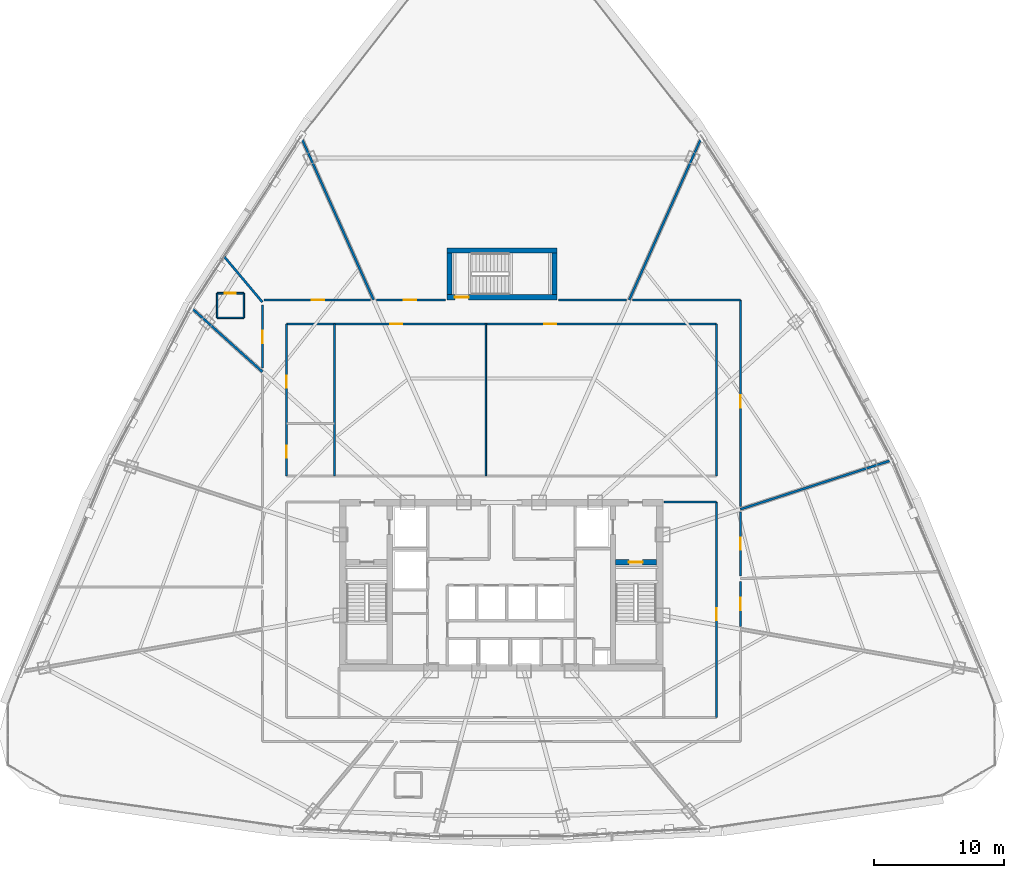
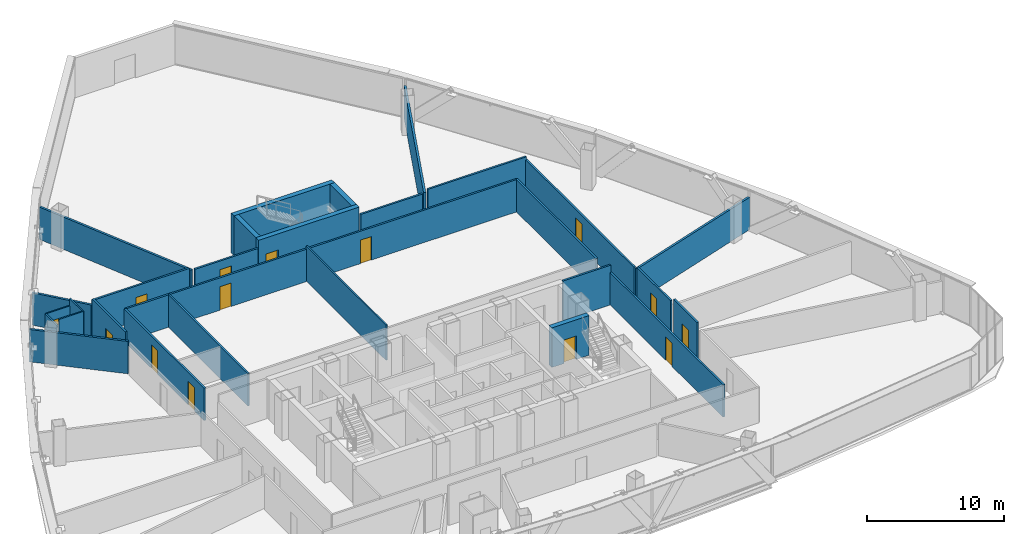
# One storey, part 32 of 37: 29 walls, 14 doors, 14 openings.
"""IFC4 building model written with IfcOpenShell, lengths in metres."""

import ifcopenshell
import ifcopenshell.guid

model = None  # the IFC model being written
_history = None  # IfcOwnerHistory: only IFC2X3 demands one
_inside = {}  # id of a spatial element -> (the spatial element, [elements in it])
_under = {}  # id of a project, library or spatial element -> (it, [spatial elements below it])
_declared = {}  # id of a project -> (the project, [libraries it declares])
_typed = {}  # id of a type object -> (the type object, [elements of that type])
_made_of = {}  # id of a material, layer set ... -> (it, [elements and type objects made of it])


def new_model(schema):
    """Start an empty IFC model of exactly this schema.

    Asked for "IFC4X3", IfcOpenShell would pick the latest addendum, in which some entities
    have other attributes; the version numbers below select the first issue.
    IFC2X3 requires an IfcOwnerHistory on every rooted entity: one is made here for all.
    """
    global model, _history
    if schema == "IFC4X3":
        model = ifcopenshell.file(schema_version=(4, 3, 0, 0))
    else:
        model = ifcopenshell.file(schema=schema)
    _inside.clear()
    _under.clear()
    _declared.clear()
    _typed.clear()
    _made_of.clear()
    _history = None
    if model.schema == "IFC2X3":
        org = make("IfcOrganization", Name="unknown")
        user = make(
            "IfcPersonAndOrganization",
            ThePerson=make("IfcPerson", FamilyName="unknown"),
            TheOrganization=org,
        )
        app = make(
            "IfcApplication",
            ApplicationDeveloper=org,
            Version="unknown",
            ApplicationFullName="unknown",
            ApplicationIdentifier="unknown",
        )
        _history = make(
            "IfcOwnerHistory",
            OwningUser=user,
            OwningApplication=app,
            ChangeAction="ADDED",
            CreationDate=0,
        )
    return model


def make(cls, **values):
    """One entity of the class cls with the attributes given. An attribute that is None is left unset."""
    return model.create_entity(
        cls, **{name: value for name, value in values.items() if value is not None}
    )


def rooted(cls, **values):
    """An entity with a GlobalId (a new one), such as an element, a storey or a relation."""
    return make(cls, GlobalId=ifcopenshell.guid.new(), OwnerHistory=_history, **values)


def si_unit(unit_type, name, prefix=None):
    """IfcSIUnit, for example si_unit("LENGTHUNIT", "METRE", prefix="MILLI")."""
    return make("IfcSIUnit", UnitType=unit_type, Prefix=prefix, Name=name)


def assignment(units):
    """IfcUnitAssignment: the units of a project."""
    return None if units is None else make("IfcUnitAssignment", Units=units)


def point(xyz):
    """IfcCartesianPoint."""
    return None if xyz is None else make("IfcCartesianPoint", Coordinates=xyz)


def direction(xyz):
    """IfcDirection."""
    return None if xyz is None else make("IfcDirection", DirectionRatios=xyz)


def frame(location, z_axis=None, x_axis=None):
    """IfcAxis2Placement3D, a coordinate frame: its origin and axes. An axis left out is left unset."""
    return make(
        "IfcAxis2Placement3D",
        Location=point(location),
        Axis=direction(z_axis),
        RefDirection=direction(x_axis),
    )


def frame_2d(location, x_axis=None):
    """IfcAxis2Placement2D, a coordinate frame in the plane: its origin and x axis."""
    return make(
        "IfcAxis2Placement2D", Location=point(location), RefDirection=direction(x_axis)
    )


def origin():
    """The frame at (0, 0, 0) with its axes left unset."""
    return frame((0.0, 0.0, 0.0))


def origin_with_axes():
    """The frame at (0, 0, 0) with the z axis (0, 0, 1) and the x axis (1, 0, 0) written out."""
    return frame((0.0, 0.0, 0.0), z_axis=(0.0, 0.0, 1.0), x_axis=(1.0, 0.0, 0.0))


def place(relative_to, where):
    """IfcLocalPlacement: puts the frame where relative to a parent placement (None: the world)."""
    return make(
        "IfcLocalPlacement", PlacementRelTo=relative_to, RelativePlacement=where
    )


def context(
    kind, dimensions, precision=None, world=None, true_north=None, identifier=None
):
    """IfcGeometricRepresentationContext, for example the 3D "Model" context."""
    return make(
        "IfcGeometricRepresentationContext",
        ContextIdentifier=identifier,
        ContextType=kind,
        CoordinateSpaceDimension=dimensions,
        Precision=precision,
        WorldCoordinateSystem=world,
        TrueNorth=true_north,
    )


def subcontext(parent, identifier, kind, view, scale=None):
    """IfcGeometricRepresentationSubContext, for example "Body" below "Model"."""
    return make(
        "IfcGeometricRepresentationSubContext",
        ContextIdentifier=identifier,
        ContextType=kind,
        ParentContext=parent,
        TargetScale=scale,
        TargetView=view,
    )


def project(units=None, contexts=None):
    """IfcProject with its units and contexts."""
    return rooted(
        "IfcProject",
        Name="project",
        RepresentationContexts=contexts,
        UnitsInContext=assignment(units),
    )


def spatial(cls, under=None, at=None, **own):
    """A site, building, storey or space (cls), placed at a placement, below another one or the project."""
    s = rooted(cls, ObjectPlacement=at, **own)
    if under is not None:
        _under.setdefault(under.id(), (under, []))[1].append(s)
    return s


def profile(cls, at=None, kind="AREA", **sizes):
    """A parametric profile (cls). Its sizes go by their IFC names, for example OverallWidth=200.0."""
    return make(cls, ProfileType=kind, Position=at, **sizes)


def rectangle(**sizes):
    """IfcRectangleProfileDef."""
    return profile("IfcRectangleProfileDef", **sizes)


def extrude(swept, where, along, depth):
    """IfcExtrudedAreaSolid: the profile swept, set in the frame where, extruded along a direction by depth."""
    return make(
        "IfcExtrudedAreaSolid",
        SweptArea=swept,
        Position=where,
        ExtrudedDirection=direction(along),
        Depth=depth,
    )


def shape(context_of_items, identifier, shape_type, items):
    """IfcShapeRepresentation: the items that make up one representation, for example the "Body"."""
    return make(
        "IfcShapeRepresentation",
        ContextOfItems=context_of_items,
        RepresentationIdentifier=identifier,
        RepresentationType=shape_type,
        Items=items,
    )


def source(mapping_origin, context_of_items, identifier, shape_type, items):
    """IfcRepresentationMap: a shape defined once, which mapped items show again and again."""
    return make(
        "IfcRepresentationMap",
        MappingOrigin=mapping_origin,
        MappedRepresentation=shape(context_of_items, identifier, shape_type, items),
    )


def transform(
    local_origin,
    x_axis=None,
    y_axis=None,
    z_axis=None,
    scale=None,
    scale2=None,
    scale3=None,
    uniform=True,
):
    """IfcCartesianTransformationOperator3D, or its non-uniform kind. x_axis, y_axis, z_axis: its Axis1, 2, 3."""
    if uniform:
        return make(
            "IfcCartesianTransformationOperator3D",
            Axis1=direction(x_axis),
            Axis2=direction(y_axis),
            LocalOrigin=point(local_origin),
            Scale=scale,
            Axis3=direction(z_axis),
        )
    return make(
        "IfcCartesianTransformationOperator3DnonUniform",
        Axis1=direction(x_axis),
        Axis2=direction(y_axis),
        LocalOrigin=point(local_origin),
        Scale=scale,
        Axis3=direction(z_axis),
        Scale2=scale2,
        Scale3=scale3,
    )


def mapped(mapping_source, mapping_target):
    """IfcMappedItem: shows the shape of a source again, moved by a transform."""
    return make(
        "IfcMappedItem", MappingSource=mapping_source, MappingTarget=mapping_target
    )


def material(Name=None, Category=None):
    """IfcMaterial."""
    return make("IfcMaterial", Name=Name, Category=Category)


def layer(
    of_material, thickness, ventilated=None, Name=None, Category=None, Priority=None
):
    """IfcMaterialLayer: one layer of a wall or slab, of a material (None: an air gap)."""
    return make(
        "IfcMaterialLayer",
        Material=of_material,
        LayerThickness=thickness,
        IsVentilated=ventilated,
        Name=Name,
        Category=Category,
        Priority=Priority,
    )


def layer_set(layers, Name=None):
    """IfcMaterialLayerSet."""
    return make("IfcMaterialLayerSet", MaterialLayers=layers, LayerSetName=Name)


def made_of(thing, what):
    """Note that an element or type object is made of a material, layer set ...; save() writes the relation."""
    if what is not None:
        _made_of.setdefault(what.id(), (what, []))[1].append(thing)
    return thing


def type_object(cls, material=None, **own):
    """A type object (cls), such as IfcWallType, which elements share."""
    return made_of(rooted(cls, **own), material)


def element(
    cls,
    number,
    at=None,
    inside=None,
    cuts=None,
    type_object=None,
    material=None,
    context=None,
    identifier="Body",
    shape_type=None,
    held_by="IfcProductDefinitionShape",
    body=None,
    shapes=None,
    **own,
):
    """One element of the class cls, such as IfcWall. Its Tag is "e" and its number.

    at: its placement. inside: the storey or other place that contains it. cuts: it is an
    opening in that element (IfcRelVoidsElement). A single representation is given by context,
    identifier, shape_type and body (its items); several are given by shapes. held_by: the class
    of the entity that holds the representations. save() writes the other relations.
    """
    e = rooted(cls, Tag="e%d" % number, ObjectPlacement=at, **own)
    if body is not None:
        shapes = [shape(context, identifier, shape_type, body)]
    if shapes is not None:
        e.Representation = make(held_by, Representations=shapes)
    if inside is not None:
        _inside.setdefault(inside.id(), (inside, []))[1].append(e)
    if cuts is not None:
        rooted(
            "IfcRelVoidsElement", RelatingBuildingElement=cuts, RelatedOpeningElement=e
        )
    if type_object is not None:
        _typed.setdefault(type_object.id(), (type_object, []))[1].append(e)
    return made_of(e, material)


def fill(opening, filler):
    """IfcRelFillsElement: the door or window that sits in an opening."""
    return rooted(
        "IfcRelFillsElement",
        RelatingOpeningElement=opening,
        RelatedBuildingElement=filler,
    )


def aggregate(whole, parts):
    """IfcRelAggregates: a whole, such as a stair, and the parts it consists of."""
    return rooted("IfcRelAggregates", RelatingObject=whole, RelatedObjects=parts)


def save(model, path):
    """Write the relations noted so far, then the file.

    IfcRelAggregates (storeys below a building ...), IfcRelContainedInSpatialStructure (elements
    in a storey), IfcRelDefinesByType, IfcRelAssociatesMaterial and IfcRelDeclares: one each for
    every whole, place, type object, material and project.
    """
    for whole, parts in _under.values():
        aggregate(whole, parts)
    for where, things in _inside.values():
        rooted(
            "IfcRelContainedInSpatialStructure",
            RelatedElements=things,
            RelatingStructure=where,
        )
    for kind, things in _typed.values():
        rooted("IfcRelDefinesByType", RelatedObjects=things, RelatingType=kind)
    for what, things in _made_of.values():
        rooted("IfcRelAssociatesMaterial", RelatedObjects=things, RelatingMaterial=what)
    for by, libraries in _declared.values():
        rooted("IfcRelDeclares", RelatingContext=by, RelatedDefinitions=libraries)
    model.write(path)


model = new_model("IFC4")

# Units and contexts
model_context = context("Model", 3, precision=1e-05, world=origin(), true_north=direction((0.0, 1.0)))
body_context = subcontext(model_context, "Body", "Model", "MODEL_VIEW")
ifc_project = project(units=[si_unit("LENGTHUNIT", "METRE"), si_unit("AREAUNIT", "SQUARE_METRE"), si_unit("VOLUMEUNIT", "CUBIC_METRE"), si_unit("PLANEANGLEUNIT", "RADIAN"), si_unit("MASSUNIT", "GRAM", prefix="KILO"), si_unit("THERMODYNAMICTEMPERATUREUNIT", "KELVIN"), si_unit("POWERUNIT", "WATT")], contexts=[model_context])

# Site, building, storey
site_placement = place(None, origin())
site = spatial("IfcSite", under=ifc_project, at=site_placement, CompositionType="ELEMENT")
building_placement = place(site_placement, origin())
building = spatial("IfcBuilding", under=site, at=building_placement, Name="Yunzhuo Pagoda Commons", CompositionType="ELEMENT")
storey_placement = place(building_placement, frame((0.0, 0.0, 207.56005859375)))
storey = spatial("IfcBuildingStorey", under=building, at=storey_placement, Name="L52", CompositionType="ELEMENT", Elevation=207.56005859375)

# Wall, openings, doors
ifc_material_1 = material(Name="Gypsum plasterboard on acoustic stud")
ifc_layer_1 = layer(ifc_material_1, 0.155029296875)
ifc_layer_set_1 = layer_set([ifc_layer_1], Name="Gypsum plasterboard on acoustic stud")
wall_type_1 = type_object("IfcWallType", Name="W-COR2 Mid-Zone Rated Corridor Wall 155", PredefinedType="PARTITIONING", material=ifc_layer_set_1)
wall_1_placement = place(storey_placement, frame((31.449951171875, 53.949951171875, 0.0), z_axis=(0.0, 0.0, 1.0), x_axis=(1.0, 0.0, 0.0)))
wall_1 = element("IfcWall", 1, at=wall_1_placement, inside=storey, type_object=wall_type_1, Name="L52 interior wall IW-L52-MCNN", PredefinedType="PARTITIONING", context=body_context, shape_type="SweptSolid", body=[
    extrude(rectangle(XDim=33.10009765625, YDim=0.155029296875, at=frame_2d((16.550048828125, 0.0))), origin(), (0.0, 0.0, 1.0), 2.889892578125),
])
opening_1_placement = place(wall_1_placement, frame((8.0, 0.0, 0.0)))
opening_1 = element("IfcOpeningElement", 2, at=opening_1_placement, cuts=wall_1, Name="Opening D-04", PredefinedType="OPENING", context=body_context, shape_type="SweptSolid", body=[
    extrude(rectangle(XDim=0.919921875, YDim=2.10009765625, at=frame_2d((0.4599609375, 1.050048828125))), frame((0.0, 0.08740234375, 0.0), z_axis=(0.0, -1.0, 0.0), x_axis=(1.0, 0.0, 0.0)), (0.0, 0.0, 1.0), 0.175048828125),
])
opening_2_placement = place(wall_1_placement, frame((19.85009765625, 0.0, 0.0)))
opening_2 = element("IfcOpeningElement", 3, at=opening_2_placement, cuts=wall_1, Name="Opening D-04", PredefinedType="OPENING", context=body_context, shape_type="SweptSolid", body=[
    extrude(rectangle(XDim=0.919921875, YDim=2.10009765625, at=frame_2d((0.4599609375, 1.050048828125))), frame((0.0, 0.08740234375, 0.0), z_axis=(0.0, -1.0, 0.0), x_axis=(1.0, 0.0, 0.0)), (0.0, 0.0, 1.0), 0.175048828125),
])
ifc_material_2 = material(Name="Powder-coated aluminium and timber acoustic leaf", Category="wood")
door_type_1 = type_object("IfcDoorType", Name="D-04 Bedroom & Study Interior Door 920x2100", OperationType="NOTDEFINED", PredefinedType="DOOR", material=ifc_material_2)
shared_shape_1 = source(origin(), body_context, "Body", "SweptSolid", [
    extrude(rectangle(XDim=0.919921875, YDim=2.10009765625, at=frame_2d((0.4599609375, 1.050048828125))), frame((0.0, 0.02490234375, 0.0), z_axis=(0.0, -1.0, 0.0), x_axis=(1.0, 0.0, 0.0)), (0.0, 0.0, 1.0), 0.050048828125),
])
door_1_placement = place(opening_1_placement, origin_with_axes())
door_1 = element("IfcDoor", 4, at=door_1_placement, inside=storey, type_object=door_type_1, Name="L52 reading commons door", OperationType="SINGLE_SWING_LEFT", OverallHeight=2.10009765625, OverallWidth=0.919921875, PredefinedType="DOOR", context=body_context, shape_type="MappedRepresentation", body=[
    mapped(shared_shape_1, transform((0.0, 0.0, 0.0), scale=1.0)),
])
fill(opening_1, door_1)
door_2_placement = place(opening_2_placement, origin_with_axes())
door_2 = element("IfcDoor", 5, at=door_2_placement, inside=storey, type_object=door_type_1, Name="L52 seminar commons door", OperationType="SINGLE_SWING_RIGHT", OverallHeight=2.10009765625, OverallWidth=0.919921875, PredefinedType="DOOR", context=body_context, shape_type="MappedRepresentation", body=[
    mapped(shared_shape_1, transform((0.0, 0.0, 0.0), scale=1.0)),
])
fill(opening_2, door_2)

wall_2_placement = place(storey_placement, frame((31.449951171875, 42.25, 0.0), z_axis=(0.0, 0.0, 1.0), x_axis=(0.0, 1.0, 0.0)))
wall_2 = element("IfcWall", 6, at=wall_2_placement, inside=storey, type_object=wall_type_1, Name="L52 interior wall IW-L52-MCNW", PredefinedType="PARTITIONING", context=body_context, shape_type="SweptSolid", body=[
    extrude(rectangle(XDim=11.699951171875, YDim=0.155029296875, at=frame_2d((5.85009765625, 0.0))), origin(), (0.0, 0.0, 1.0), 2.889892578125),
])
opening_3_placement = place(wall_2_placement, frame((1.39990234375, 0.0, 0.0)))
opening_3 = element("IfcOpeningElement", 7, at=opening_3_placement, cuts=wall_2, Name="Opening D-11", PredefinedType="OPENING", context=body_context, shape_type="SweptSolid", body=[
    extrude(rectangle(XDim=0.93994140625, YDim=2.10009765625, at=frame_2d((0.469970703125, 1.050048828125))), frame((0.0, 0.08740234375, 0.0), z_axis=(0.0, -1.0, 0.0), x_axis=(1.0, 0.0, 0.0)), (0.0, 0.0, 1.0), 0.175048828125),
])
opening_4_placement = place(wall_2_placement, frame((6.800048828125, 0.0, 0.0)))
opening_4 = element("IfcOpeningElement", 8, at=opening_4_placement, cuts=wall_2, Name="Opening D-04", PredefinedType="OPENING", context=body_context, shape_type="SweptSolid", body=[
    extrude(rectangle(XDim=0.919921875, YDim=2.10009765625, at=frame_2d((0.4599609375, 1.050048828125))), frame((0.0, 0.08740234375, 0.0), z_axis=(0.0, -1.0, 0.0), x_axis=(1.0, 0.0, 0.0)), (0.0, 0.0, 1.0), 0.175048828125),
])
ifc_material_3 = material(Name="Galvanized fire-resisting metal leaf")
door_type_2 = type_object("IfcDoorType", Name="D-11 Accessible Washroom Fire Door 940x2100", OperationType="NOTDEFINED", PredefinedType="DOOR", material=ifc_material_3)
shared_shape_2 = source(origin(), body_context, "Body", "SweptSolid", [
    extrude(rectangle(XDim=0.93994140625, YDim=2.10009765625, at=frame_2d((0.469970703125, 1.050048828125))), frame((0.0, 0.02490234375, 0.0), z_axis=(0.0, -1.0, 0.0), x_axis=(1.0, 0.0, 0.0)), (0.0, 0.0, 1.0), 0.050048828125),
])
door_3_placement = place(opening_3_placement, origin_with_axes())
door_3 = element("IfcDoor", 9, at=door_3_placement, inside=storey, type_object=door_type_2, Name="L52 accessible WC door", OperationType="SINGLE_SWING_LEFT", OverallHeight=2.10009765625, OverallWidth=0.93994140625, PredefinedType="DOOR", context=body_context, shape_type="MappedRepresentation", body=[
    mapped(shared_shape_2, transform((0.0, 0.0, 0.0), scale=1.0)),
])
fill(opening_3, door_3)
door_4_placement = place(opening_4_placement, origin_with_axes())
door_4 = element("IfcDoor", 10, at=door_4_placement, inside=storey, type_object=door_type_1, Name="L52 laundry door", OperationType="SINGLE_SWING_RIGHT", OverallHeight=2.10009765625, OverallWidth=0.919921875, PredefinedType="DOOR", context=body_context, shape_type="MappedRepresentation", body=[
    mapped(shared_shape_1, transform((0.0, 0.0, 0.0), scale=1.0)),
])
fill(opening_4, door_4)

# Walls
for number, where, z_axis, x_axis, name in (
    (11, (64.550048828125, 42.25, 0.0), (0.0, 0.0, 1.0), (0.0, 1.0, 0.0), "L52 interior wall IW-L52-MCNE"),
    (12, (35.14990234375, 42.25, 0.0), (0.0, 0.0, 1.0), (0.0, 1.0, 0.0), "L52 interior wall IW-L52-MCWCE"),
):
    element("IfcWall", number, at=place(storey_placement, frame(where, z_axis=z_axis, x_axis=x_axis)), inside=storey, type_object=wall_type_1, Name=name, PredefinedType="PARTITIONING", context=body_context, shape_type="SweptSolid", body=[
        extrude(rectangle(XDim=11.699951171875, YDim=0.155029296875, at=frame_2d((5.85009765625, 0.0))), origin(), (0.0, 0.0, 1.0), 2.889892578125),
    ])

# Wall, opening, door
wall_3_placement = place(storey_placement, frame((64.550048828125, 23.64990234375, 0.0), z_axis=(0.0, 0.0, 1.0), x_axis=(0.0, 1.0, 0.0)))
wall_3 = element("IfcWall", 13, at=wall_3_placement, inside=storey, type_object=wall_type_1, Name="L52 interior wall IW-L52-SFLE", PredefinedType="PARTITIONING", context=body_context, shape_type="SweptSolid", body=[
    extrude(rectangle(XDim=16.60009765625, YDim=0.155029296875, at=frame_2d((8.300048828125, 0.0))), origin(), (0.0, 0.0, 1.0), 2.889892578125),
])
opening_5_placement = place(wall_3_placement, frame((7.5, 0.0, 0.0)))
opening_5 = element("IfcOpeningElement", 14, at=opening_5_placement, cuts=wall_3, Name="Opening D-12", PredefinedType="OPENING", context=body_context, shape_type="SweptSolid", body=[
    extrude(rectangle(XDim=0.89990234375, YDim=2.080078125, at=frame_2d((0.449951171875, 1.0400390625))), frame((0.0, 0.08740234375, 0.0), z_axis=(0.0, -1.0, 0.0), x_axis=(1.0, 0.0, 0.0)), (0.0, 0.0, 1.0), 0.175048828125),
])
door_type_3 = type_object("IfcDoorType", Name="D-12 Quiet Study Interior Door 900x2080", OperationType="NOTDEFINED", PredefinedType="DOOR", material=ifc_material_2)
shared_shape_3 = source(origin(), body_context, "Body", "SweptSolid", [
    extrude(rectangle(XDim=0.89990234375, YDim=2.080078125, at=frame_2d((0.449951171875, 1.0400390625))), frame((0.0, 0.02490234375, 0.0), z_axis=(0.0, -1.0, 0.0), x_axis=(1.0, 0.0, 0.0)), (0.0, 0.0, 1.0), 0.050048828125),
])
door_5_placement = place(opening_5_placement, frame((0.89990234375, 0.0, 0.0), z_axis=(0.0, 0.0, 1.0), x_axis=(-1.0, 0.0, 0.0)))
door_5 = element("IfcDoor", 15, at=door_5_placement, inside=storey, type_object=door_type_3, Name="L52 east study workroom door", OperationType="SINGLE_SWING_RIGHT", OverallHeight=2.080078125, OverallWidth=0.89990234375, PredefinedType="DOOR", context=body_context, shape_type="MappedRepresentation", body=[
    mapped(shared_shape_3, transform((0.0, 0.0, 0.0), scale=1.0)),
])
fill(opening_5, door_5)

# Wall
wall_4_placement = place(storey_placement, frame((60.5, 40.25, 0.0), z_axis=(0.0, 0.0, 1.0), x_axis=(1.0, 0.0, 0.0)))
element("IfcWall", 16, at=wall_4_placement, inside=storey, type_object=wall_type_1, Name="L52 interior wall IW-L52-SFLNE", PredefinedType="PARTITIONING", context=body_context, shape_type="SweptSolid", body=[
    extrude(rectangle(XDim=4.050048828125, YDim=0.155029296875, at=frame_2d((2.02490234375, 0.0))), origin(), (0.0, 0.0, 1.0), 3.5400390625),
])

# Wall, opening, door
wall_5_placement = place(storey_placement, frame((29.60009765625, 50.5634765625, 0.0), z_axis=(0.0, 0.0, 1.0), x_axis=(0.0, 1.0, 0.0)))
wall_5 = element("IfcWall", 17, at=wall_5_placement, inside=storey, type_object=wall_type_1, Name="L52 interior wall IW-L52-CWL05", PredefinedType="PARTITIONING", context=body_context, shape_type="SweptSolid", body=[
    extrude(rectangle(XDim=4.844970703125, YDim=0.155029296875, at=frame_2d((2.42236328125, 0.0))), origin(), (0.0, 0.0, 1.0), 3.5400390625),
])
opening_6_placement = place(wall_5_placement, frame((1.909423828125, 0.0, 0.0)))
opening_6 = element("IfcOpeningElement", 18, at=opening_6_placement, cuts=wall_5, Name="Opening D-07", PredefinedType="OPENING", context=body_context, shape_type="SweptSolid", body=[
    extrude(rectangle(XDim=0.9599609375, YDim=2.1201171875, at=frame_2d((0.47998046875, 1.06005859375))), frame((0.0, 0.08740234375, 0.0), z_axis=(0.0, -1.0, 0.0), x_axis=(1.0, 0.0, 0.0)), (0.0, 0.0, 1.0), 0.175048828125),
])
door_type_4 = type_object("IfcDoorType", Name="D-07 Mid-Zone Suite Entrance Fire Door 960x2120", OperationType="NOTDEFINED", PredefinedType="DOOR", material=ifc_material_3)
shared_shape_4 = source(origin(), body_context, "Body", "SweptSolid", [
    extrude(rectangle(XDim=0.9599609375, YDim=2.1201171875, at=frame_2d((0.47998046875, 1.06005859375))), frame((0.0, 0.02490234375, 0.0), z_axis=(0.0, -1.0, 0.0), x_axis=(1.0, 0.0, 0.0)), (0.0, 0.0, 1.0), 0.050048828125),
])
door_6_placement = place(opening_6_placement, origin_with_axes())
door_6 = element("IfcDoor", 19, at=door_6_placement, inside=storey, type_object=door_type_4, Name="L52 unit 05 entrance door", OperationType="SINGLE_SWING_LEFT", OverallHeight=2.1201171875, OverallWidth=0.9599609375, PredefinedType="DOOR", context=body_context, shape_type="MappedRepresentation", body=[
    mapped(shared_shape_4, transform((0.0, 0.0, 0.0), scale=1.0)),
])
fill(opening_6, door_6)

wall_6_placement = place(storey_placement, frame((29.7431640625, 55.800048828125, 0.0), z_axis=(0.0, 0.0, 1.0), x_axis=(1.0, 0.0, 0.0)))
wall_6 = element("IfcWall", 20, at=wall_6_placement, inside=storey, type_object=wall_type_1, Name="L52 interior wall IW-L52-CWL06", PredefinedType="PARTITIONING", context=body_context, shape_type="SweptSolid", body=[
    extrude(rectangle(XDim=8.176513671875, YDim=0.155029296875, at=frame_2d((4.08837890625, 0.0))), origin(), (0.0, 0.0, 1.0), 3.139892578125),
])
opening_7_placement = place(wall_6_placement, frame((3.6455078125, 0.0, 0.0)))
opening_7 = element("IfcOpeningElement", 21, at=opening_7_placement, cuts=wall_6, Name="Opening D-07", PredefinedType="OPENING", context=body_context, shape_type="SweptSolid", body=[
    extrude(rectangle(XDim=0.9599609375, YDim=2.1201171875, at=frame_2d((0.47998046875, 1.06005859375))), frame((0.0, 0.08740234375, 0.0), z_axis=(0.0, -1.0, 0.0), x_axis=(1.0, 0.0, 0.0)), (0.0, 0.0, 1.0), 0.175048828125),
])
door_7_placement = place(opening_7_placement, origin_with_axes())
door_7 = element("IfcDoor", 22, at=door_7_placement, inside=storey, type_object=door_type_4, Name="L52 unit 04 entrance door", OperationType="SINGLE_SWING_RIGHT", OverallHeight=2.1201171875, OverallWidth=0.9599609375, PredefinedType="DOOR", context=body_context, shape_type="MappedRepresentation", body=[
    mapped(shared_shape_4, transform((0.0, 0.0, 0.0), scale=1.0)),
])
fill(opening_7, door_7)

wall_7_placement = place(storey_placement, frame((38.380126953125, 55.800048828125, 0.0), z_axis=(0.0, 0.0, 1.0), x_axis=(1.0, 0.0, 0.0)))
wall_7 = element("IfcWall", 23, at=wall_7_placement, inside=storey, type_object=wall_type_1, Name="L52 interior wall IW-L52-CWL07", PredefinedType="PARTITIONING", context=body_context, shape_type="SweptSolid", body=[
    extrude(rectangle(XDim=5.328857421875, YDim=0.155029296875, at=frame_2d((2.66455078125, 0.0))), origin(), (0.0, 0.0, 1.0), 2.889892578125),
])
opening_8_placement = place(wall_7_placement, frame((2.114990234375, 0.0, 0.0)))
opening_8 = element("IfcOpeningElement", 24, at=opening_8_placement, cuts=wall_7, Name="Opening D-07", PredefinedType="OPENING", context=body_context, shape_type="SweptSolid", body=[
    extrude(rectangle(XDim=0.9599609375, YDim=2.1201171875, at=frame_2d((0.47998046875, 1.06005859375))), frame((0.0, 0.08740234375, 0.0), z_axis=(0.0, -1.0, 0.0), x_axis=(1.0, 0.0, 0.0)), (0.0, 0.0, 1.0), 0.175048828125),
])
door_8_placement = place(opening_8_placement, origin_with_axes())
door_8 = element("IfcDoor", 25, at=door_8_placement, inside=storey, type_object=door_type_4, Name="L52 unit 03 entrance door", OperationType="SINGLE_SWING_LEFT", OverallHeight=2.1201171875, OverallWidth=0.9599609375, PredefinedType="DOOR", context=body_context, shape_type="MappedRepresentation", body=[
    mapped(shared_shape_4, transform((0.0, 0.0, 0.0), scale=1.0)),
])
fill(opening_8, door_8)

# Walls
wall_8_placement = place(storey_placement, frame((52.39111328125, 55.800048828125, 0.0), z_axis=(0.0, 0.0, 1.0), x_axis=(1.0, 0.0, 0.0)))
element("IfcWall", 26, at=wall_8_placement, inside=storey, type_object=wall_type_1, Name="L52 interior wall IW-L52-CWL08", PredefinedType="PARTITIONING", context=body_context, shape_type="SweptSolid", body=[
    extrude(rectangle(XDim=5.228759765625, YDim=0.155029296875, at=frame_2d((2.6142578125, 0.0))), origin(), (0.0, 0.0, 1.0), 2.889892578125),
])
wall_9_placement = place(storey_placement, frame((58.080322265625, 55.800048828125, 0.0), z_axis=(0.0, 0.0, 1.0), x_axis=(1.0, 0.0, 0.0)))
element("IfcWall", 27, at=wall_9_placement, inside=storey, type_object=wall_type_1, Name="L52 interior wall IW-L52-CWL09", PredefinedType="PARTITIONING", context=body_context, shape_type="SweptSolid", body=[
    extrude(rectangle(XDim=8.319580078125, YDim=0.155029296875, at=frame_2d((4.15966796875, 0.0))), origin(), (0.0, 0.0, 1.0), 3.139892578125),
])

# Wall, opening, door
wall_10_placement = place(storey_placement, frame((66.39990234375, 55.800048828125, 0.0), z_axis=(0.0, 0.0, 1.0), x_axis=(0.0, -1.0, 0.0)))
wall_10 = element("IfcWall", 28, at=wall_10_placement, inside=storey, type_object=wall_type_1, Name="L52 interior wall IW-L52-CWL10", PredefinedType="PARTITIONING", context=body_context, shape_type="SweptSolid", body=[
    extrude(rectangle(XDim=15.89013671875, YDim=0.155029296875, at=frame_2d((7.945068359375, 0.0))), origin(), (0.0, 0.0, 1.0), 2.889892578125),
])
opening_9_placement = place(wall_10_placement, frame((7.355712890625, 0.0, 0.0)))
opening_9 = element("IfcOpeningElement", 29, at=opening_9_placement, cuts=wall_10, Name="Opening D-07", PredefinedType="OPENING", context=body_context, shape_type="SweptSolid", body=[
    extrude(rectangle(XDim=0.9599609375, YDim=2.1201171875, at=frame_2d((0.47998046875, 1.06005859375))), frame((0.0, 0.08740234375, 0.0), z_axis=(0.0, -1.0, 0.0), x_axis=(1.0, 0.0, 0.0)), (0.0, 0.0, 1.0), 0.175048828125),
])
door_9_placement = place(opening_9_placement, origin_with_axes())
door_9 = element("IfcDoor", 30, at=door_9_placement, inside=storey, type_object=door_type_4, Name="L52 Shared Resident Kitchen and Pantry door", OperationType="SINGLE_SWING_RIGHT", OverallHeight=2.1201171875, OverallWidth=0.9599609375, PredefinedType="DOOR", context=body_context, shape_type="MappedRepresentation", body=[
    mapped(shared_shape_4, transform((0.0, 0.0, 0.0), scale=1.0)),
])
fill(opening_9, door_9)

wall_11_placement = place(storey_placement, frame((66.39990234375, 39.458740234375, 0.0), z_axis=(0.0, 0.0, 1.0), x_axis=(0.0, -1.0, 0.0)))
wall_11 = element("IfcWall", 31, at=wall_11_placement, inside=storey, type_object=wall_type_1, Name="L52 interior wall IW-L52-CWL11", PredefinedType="PARTITIONING", context=body_context, shape_type="SweptSolid", body=[
    extrude(rectangle(XDim=4.896240234375, YDim=0.155029296875, at=frame_2d((2.4482421875, 0.0))), origin(), (0.0, 0.0, 1.0), 3.139892578125),
])
opening_10_placement = place(wall_11_placement, frame((1.98828125, 0.0, 0.0)))
opening_10 = element("IfcOpeningElement", 32, at=opening_10_placement, cuts=wall_11, Name="Opening D-04", PredefinedType="OPENING", context=body_context, shape_type="SweptSolid", body=[
    extrude(rectangle(XDim=0.919921875, YDim=2.10009765625, at=frame_2d((0.4599609375, 1.050048828125))), frame((0.0, 0.08740234375, 0.0), z_axis=(0.0, -1.0, 0.0), x_axis=(1.0, 0.0, 0.0)), (0.0, 0.0, 1.0), 0.175048828125),
])
door_10_placement = place(opening_10_placement, origin_with_axes())
door_10 = element("IfcDoor", 33, at=door_10_placement, inside=storey, type_object=door_type_1, Name="L52 seminar room 01 door", OperationType="SINGLE_SWING_LEFT", OverallHeight=2.10009765625, OverallWidth=0.919921875, PredefinedType="DOOR", context=body_context, shape_type="MappedRepresentation", body=[
    mapped(shared_shape_1, transform((0.0, 0.0, 0.0), scale=1.0)),
])
fill(opening_10, door_10)

wall_12_placement = place(storey_placement, frame((66.39990234375, 34.122802734375, 0.0), z_axis=(0.0, 0.0, 1.0), x_axis=(0.0, -1.0, 0.0)))
wall_12 = element("IfcWall", 34, at=wall_12_placement, inside=storey, type_object=wall_type_1, Name="L52 interior wall IW-L52-CWL12", PredefinedType="PARTITIONING", context=body_context, shape_type="SweptSolid", body=[
    extrude(rectangle(XDim=3.447509765625, YDim=0.155029296875, at=frame_2d((1.7236328125, 0.0))), origin(), (0.0, 0.0, 1.0), 3.5400390625),
])
opening_11_placement = place(wall_12_placement, frame((1.24853515625, 0.0, 0.0)))
opening_11 = element("IfcOpeningElement", 35, at=opening_11_placement, cuts=wall_12, Name="Opening D-07", PredefinedType="OPENING", context=body_context, shape_type="SweptSolid", body=[
    extrude(rectangle(XDim=0.9599609375, YDim=2.1201171875, at=frame_2d((0.47998046875, 1.06005859375))), frame((0.0, 0.08740234375, 0.0), z_axis=(0.0, -1.0, 0.0), x_axis=(1.0, 0.0, 0.0)), (0.0, 0.0, 1.0), 0.175048828125),
])
door_11_placement = place(opening_11_placement, origin_with_axes())
door_11 = element("IfcDoor", 36, at=door_11_placement, inside=storey, type_object=door_type_4, Name="L52 unit 14 entrance door", OperationType="SINGLE_SWING_RIGHT", OverallHeight=2.1201171875, OverallWidth=0.9599609375, PredefinedType="DOOR", context=body_context, shape_type="MappedRepresentation", body=[
    mapped(shared_shape_4, transform((0.0, 0.0, 0.0), scale=1.0)),
])
fill(opening_11, door_11)

# Walls
ifc_layer_2 = layer(ifc_material_1, 0.1201171875)
ifc_layer_set_2 = layer_set([ifc_layer_2], Name="Gypsum plasterboard on acoustic stud")
wall_type_2 = type_object("IfcWallType", Name="W-PRT1 Suite & Bathroom Partition 120", PredefinedType="PARTITIONING", material=ifc_layer_set_2)
wall_13_placement = place(storey_placement, frame((46.800048828125, 42.25, 0.0), z_axis=(0.0, 0.0, 1.0), x_axis=(0.0, 1.0, 0.0)))
element("IfcWall", 37, at=wall_13_placement, inside=storey, type_object=wall_type_2, Name="L52 interior wall IW-L52-MCDIV", PredefinedType="PARTITIONING", context=body_context, shape_type="SweptSolid", body=[
    extrude(rectangle(XDim=11.699951171875, YDim=0.1201171875, at=frame_2d((5.85009765625, 0.0))), origin(), (0.0, 0.0, 1.0), 3.139892578125),
])
wall_14_placement = place(storey_placement, frame((26.1201171875, 54.408935546875, 0.0), z_axis=(0.0, 0.0, 1.0), x_axis=(1.0, 0.0, 0.0)))
element("IfcWall", 38, at=wall_14_placement, inside=storey, type_object=wall_type_2, Name="L52 interior wall IW-L52-B05S", PredefinedType="PARTITIONING", context=body_context, shape_type="SweptSolid", body=[
    extrude(rectangle(XDim=2.0498046875, YDim=0.1201171875, at=frame_2d((1.02490234375, 0.0))), origin(), (0.0, 0.0, 1.0), 3.5400390625),
])
wall_15_placement = place(storey_placement, frame((28.169921875, 54.408935546875, 0.0), z_axis=(0.0, 0.0, 1.0), x_axis=(0.0, 1.0, 0.0)))
element("IfcWall", 39, at=wall_15_placement, inside=storey, type_object=wall_type_2, Name="L52 interior wall IW-L52-B05E", PredefinedType="PARTITIONING", context=body_context, shape_type="SweptSolid", body=[
    extrude(rectangle(XDim=1.900146484375, YDim=0.1201171875, at=frame_2d((0.9501953125, 0.0))), origin(), (0.0, 0.0, 1.0), 3.5400390625),
])

# Wall, opening, door
wall_16_placement = place(storey_placement, frame((28.169921875, 56.30908203125, 0.0), z_axis=(0.0, 0.0, 1.0), x_axis=(-1.0, 0.0, 0.0)))
wall_16 = element("IfcWall", 40, at=wall_16_placement, inside=storey, type_object=wall_type_2, Name="L52 interior wall IW-L52-B05N", PredefinedType="PARTITIONING", context=body_context, shape_type="SweptSolid", body=[
    extrude(rectangle(XDim=2.0498046875, YDim=0.1201171875, at=frame_2d((1.02490234375, 0.0))), origin(), (0.0, 0.0, 1.0), 2.889892578125),
])
opening_12_placement = place(wall_16_placement, frame((0.60009765625, 0.0, 0.0)))
opening_12 = element("IfcOpeningElement", 41, at=opening_12_placement, cuts=wall_16, Name="Opening D-05", PredefinedType="OPENING", context=body_context, shape_type="SweptSolid", body=[
    extrude(rectangle(XDim=0.85009765625, YDim=2.10009765625, at=frame_2d((0.425048828125, 1.050048828125))), frame((0.0, 0.070068359375, 0.0), z_axis=(0.0, -1.0, 0.0), x_axis=(1.0, 0.0, 0.0)), (0.0, 0.0, 1.0), 0.14013671875),
])
door_type_5 = type_object("IfcDoorType", Name="D-05 En-Suite Bathroom Door 850x2100", OperationType="NOTDEFINED", PredefinedType="DOOR", material=ifc_material_2)
shared_shape_5 = source(origin(), body_context, "Body", "SweptSolid", [
    extrude(rectangle(XDim=0.85009765625, YDim=2.10009765625, at=frame_2d((0.425048828125, 1.050048828125))), frame((0.0, 0.02490234375, 0.0), z_axis=(0.0, -1.0, 0.0), x_axis=(1.0, 0.0, 0.0)), (0.0, 0.0, 1.0), 0.050048828125),
])
door_12_placement = place(opening_12_placement, frame((0.85009765625, 0.0, 0.0), z_axis=(0.0, 0.0, 1.0), x_axis=(-1.0, 0.0, 0.0)))
door_12 = element("IfcDoor", 42, at=door_12_placement, inside=storey, type_object=door_type_5, Name="L52 unit 05 bathroom door", OperationType="SINGLE_SWING_LEFT", OverallHeight=2.10009765625, OverallWidth=0.85009765625, PredefinedType="DOOR", context=body_context, shape_type="MappedRepresentation", body=[
    mapped(shared_shape_5, transform((0.0, 0.0, 0.0), scale=1.0)),
])
fill(opening_12, door_12)

# Walls
wall_17_placement = place(storey_placement, frame((26.1201171875, 56.30908203125, 0.0), z_axis=(0.0, 0.0, 1.0), x_axis=(0.0, -1.0, 0.0)))
element("IfcWall", 43, at=wall_17_placement, inside=storey, type_object=wall_type_2, Name="L52 interior wall IW-L52-B05W", PredefinedType="PARTITIONING", context=body_context, shape_type="SweptSolid", body=[
    extrude(rectangle(XDim=1.900146484375, YDim=0.1201171875, at=frame_2d((0.9501953125, 0.0))), origin(), (0.0, 0.0, 1.0), 2.889892578125),
])
ifc_layer_3 = layer(ifc_material_1, 0.175048828125)
ifc_layer_set_3 = layer_set([ifc_layer_3], Name="Gypsum plasterboard on acoustic stud")
wall_type_3 = type_object("IfcWallType", Name="W-PRT3 Mid-Zone Demising Wall 175", PredefinedType="PARTITIONING", material=ifc_layer_set_3)
wall_18_placement = place(storey_placement, frame((66.39990234375, 39.678466796875, 0.0), z_axis=(0.0, 0.0, 1.0), x_axis=(0.951057676857, 0.309013422511, 0.0)))
element("IfcWall", 44, at=wall_18_placement, inside=storey, type_object=wall_type_3, Name="L52 interior wall IW-L52-RAD02", PredefinedType="PARTITIONING", context=body_context, shape_type="SweptSolid", body=[
    extrude(rectangle(XDim=12.31005859375, YDim=0.175048828125, at=frame_2d((6.155029296875, 0.0))), origin(), (0.0, 0.0, 1.0), 2.889892578125),
])
for number, where, z_axis, x_axis, name in (
    (45, (57.839599609375, 55.800048828125, 0.0), (0.0, 0.0, 1.0), (0.406733161266, 0.913547007836, 0.0), "L52 interior wall IW-L52-RAD03"),
    (46, (38.160400390625, 55.800048828125, 0.0), (0.0, 0.0, 1.0), (-0.406733161266, 0.913547007836, 0.0), "L52 interior wall IW-L52-RAD04"),
):
    element("IfcWall", number, at=place(storey_placement, frame(where, z_axis=z_axis, x_axis=x_axis)), inside=storey, type_object=wall_type_3, Name=name, PredefinedType="PARTITIONING", context=body_context, shape_type="SweptSolid", body=[
        extrude(rectangle(XDim=13.748779296875, YDim=0.175048828125, at=frame_2d((6.87451171875, 0.0))), origin(), (0.0, 0.0, 1.0), 2.889892578125),
    ])
wall_19_placement = place(storey_placement, frame((29.60009765625, 55.62841796875, 0.0), z_axis=(0.0, 0.0, 1.0), x_axis=(-0.642810353623, 0.766025358115, 0.0)))
element("IfcWall", 47, at=wall_19_placement, inside=storey, type_object=wall_type_3, Name="L52 interior wall IW-L52-RAD05", PredefinedType="PARTITIONING", context=body_context, shape_type="SweptSolid", body=[
    extrude(rectangle(XDim=4.62060546875, YDim=0.175048828125, at=frame_2d((2.310302734375, 0.0))), origin(), (0.0, 0.0, 1.0), 2.889892578125),
])
wall_20_placement = place(storey_placement, frame((29.60009765625, 50.267333984375, 0.0), z_axis=(0.0, 0.0, 1.0), x_axis=(-0.743143583897, 0.669131985271, 0.0)))
element("IfcWall", 48, at=wall_20_placement, inside=storey, type_object=wall_type_3, Name="L52 interior wall IW-L52-RAD06", PredefinedType="PARTITIONING", context=body_context, shape_type="SweptSolid", body=[
    extrude(rectangle(XDim=7.418701171875, YDim=0.175048828125, at=frame_2d((3.70947265625, 0.0))), origin(), (0.0, 0.0, 1.0), 2.889892578125),
])

# Wall, opening, door
ifc_material_4 = material(Name="Concrete C60", Category="concrete")
ifc_layer_4 = layer(ifc_material_4, 0.39990234375)
ifc_layer_set_4 = layer_set([ifc_layer_4], Name="Concrete C60")
wall_type_4 = type_object("IfcWallType", Name="W-S01 Internal Core Shear Web 400", PredefinedType="SHEAR", material=ifc_layer_set_4)
wall_21_placement = place(storey_placement, frame((56.800048828125, 35.60009765625, 0.0), z_axis=(0.0, 0.0, 1.0), x_axis=(1.0, 0.0, 0.0)))
wall_21 = element("IfcWall", 49, at=wall_21_placement, inside=storey, type_object=wall_type_4, Name="L52 core shear wall STE", PredefinedType="SHEAR", context=body_context, shape_type="SweptSolid", body=[
    extrude(rectangle(XDim=3.14990234375, YDim=0.39990234375, at=frame_2d((1.574951171875, 0.0))), origin(), (0.0, 0.0, 1.0), 3.5400390625),
])
opening_13_placement = place(wall_21_placement, frame((1.02001953125, 0.0, 0.0)))
opening_13 = element("IfcOpeningElement", 50, at=opening_13_placement, cuts=wall_21, Name="Opening D-01", PredefinedType="OPENING", context=body_context, shape_type="SweptSolid", body=[
    extrude(rectangle(XDim=1.050048828125, YDim=2.10009765625, at=frame_2d((0.52490234375, 1.050048828125))), frame((0.0, 0.2099609375, 0.0), z_axis=(0.0, -1.0, 0.0), x_axis=(1.0, 0.0, 0.0)), (0.0, 0.0, 1.0), 0.419921875),
])
door_type_6 = type_object("IfcDoorType", Name="D-01 Smokeproof Stair Fire Door 1050x2100", OperationType="NOTDEFINED", PredefinedType="DOOR", material=ifc_material_3)
shared_shape_6 = source(origin(), body_context, "Body", "SweptSolid", [
    extrude(rectangle(XDim=1.050048828125, YDim=2.10009765625, at=frame_2d((0.52490234375, 1.050048828125))), frame((0.0, 0.02490234375, 0.0), z_axis=(0.0, -1.0, 0.0), x_axis=(1.0, 0.0, 0.0)), (0.0, 0.0, 1.0), 0.050048828125),
])
door_13_placement = place(opening_13_placement, frame((1.050048828125, 0.0, 0.0), z_axis=(0.0, 0.0, 1.0), x_axis=(-1.0, 0.0, 0.0)))
door_13 = element("IfcDoor", 51, at=door_13_placement, inside=storey, type_object=door_type_6, Name="L52 Stair ST2 fire door", OperationType="SINGLE_SWING_RIGHT", OverallHeight=2.10009765625, OverallWidth=1.050048828125, PredefinedType="DOOR", context=body_context, shape_type="MappedRepresentation", body=[
    mapped(shared_shape_6, transform((0.0, 0.0, 0.0), scale=1.0)),
])
fill(opening_13, door_13)

# Wall
wall_22_placement = place(storey_placement, frame((43.800048828125, 59.60009765625, 0.0), z_axis=(0.0, 0.0, 1.0), x_axis=(1.0, 0.0, 0.0)))
element("IfcWall", 52, at=wall_22_placement, inside=storey, type_object=wall_type_4, Name="L52 ST3 structural stair wall N", PredefinedType="SHEAR", context=body_context, shape_type="SweptSolid", body=[
    extrude(rectangle(XDim=8.5, YDim=0.39990234375, at=frame_2d((4.25, 0.0))), origin(), (0.0, 0.0, 1.0), 3.5400390625),
])

# Wall, opening, door
wall_23_placement = place(storey_placement, frame((43.800048828125, 56.0, 0.0), z_axis=(0.0, 0.0, 1.0), x_axis=(1.0, 0.0, 0.0)))
wall_23 = element("IfcWall", 53, at=wall_23_placement, inside=storey, type_object=wall_type_4, Name="L52 ST3 structural stair wall S", PredefinedType="SHEAR", context=body_context, shape_type="SweptSolid", body=[
    extrude(rectangle(XDim=8.5, YDim=0.39990234375, at=frame_2d((4.25, 0.0))), origin(), (0.0, 0.0, 1.0), 3.5400390625),
])
opening_14_placement = place(wall_23_placement, frame((0.6201171875, 0.0, 0.0)))
opening_14 = element("IfcOpeningElement", 54, at=opening_14_placement, cuts=wall_23, Name="Opening D-01", PredefinedType="OPENING", context=body_context, shape_type="SweptSolid", body=[
    extrude(rectangle(XDim=1.050048828125, YDim=2.10009765625, at=frame_2d((0.52490234375, 1.050048828125))), frame((0.0, 0.2099609375, 0.0), z_axis=(0.0, -1.0, 0.0), x_axis=(1.0, 0.0, 0.0)), (0.0, 0.0, 1.0), 0.419921875),
])
door_14_placement = place(opening_14_placement, frame((1.050048828125, 0.0, 0.0), z_axis=(0.0, 0.0, 1.0), x_axis=(-1.0, 0.0, 0.0)))
door_14 = element("IfcDoor", 55, at=door_14_placement, inside=storey, type_object=door_type_6, Name="L52 Stair ST3 fire door", OperationType="SINGLE_SWING_LEFT", OverallHeight=2.10009765625, OverallWidth=1.050048828125, PredefinedType="DOOR", context=body_context, shape_type="MappedRepresentation", body=[
    mapped(shared_shape_6, transform((0.0, 0.0, 0.0), scale=1.0)),
])
fill(opening_14, door_14)

# Walls
for number, where, z_axis, x_axis, name in (
    (56, (44.0, 56.199951171875, 0.0), (0.0, 0.0, 1.0), (0.0, 1.0, 0.0), "L52 ST3 structural stair wall W"),
    (57, (52.10009765625, 56.199951171875, 0.0), (0.0, 0.0, 1.0), (0.0, 1.0, 0.0), "L52 ST3 structural stair wall E"),
):
    element("IfcWall", number, at=place(storey_placement, frame(where, z_axis=z_axis, x_axis=x_axis)), inside=storey, type_object=wall_type_4, Name=name, PredefinedType="SHEAR", context=body_context, shape_type="SweptSolid", body=[
        extrude(rectangle(XDim=3.199951171875, YDim=0.39990234375, at=frame_2d((1.60009765625, 0.0))), origin(), (0.0, 0.0, 1.0), 3.5400390625),
    ])

save(model, "model.ifc")
